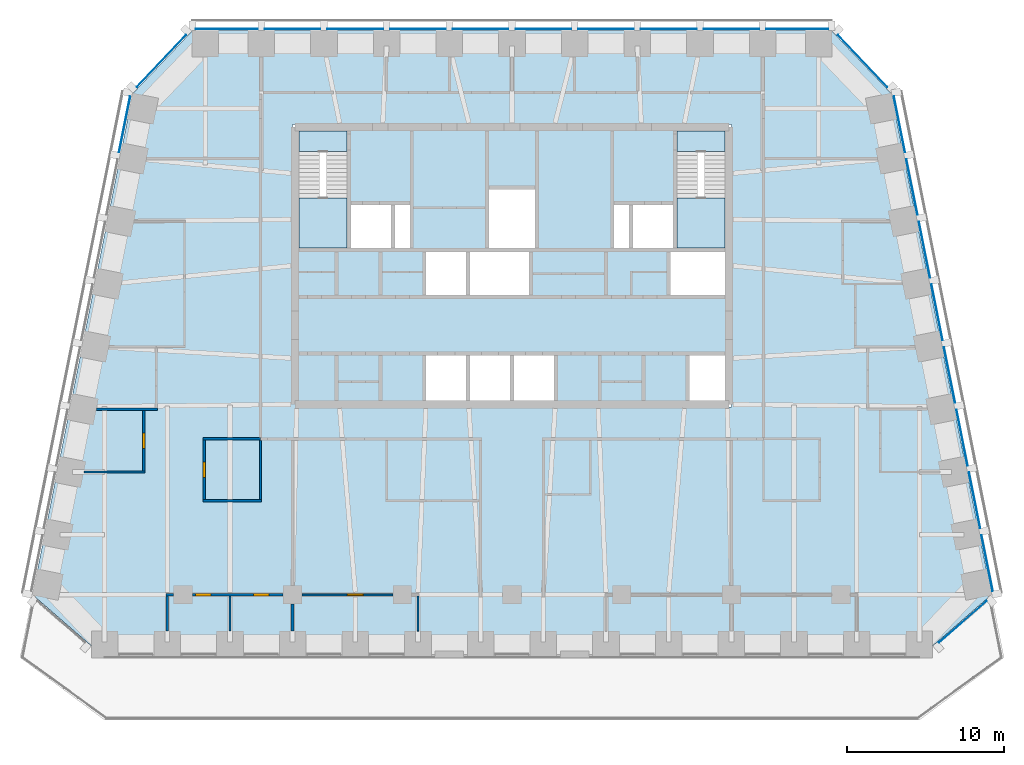
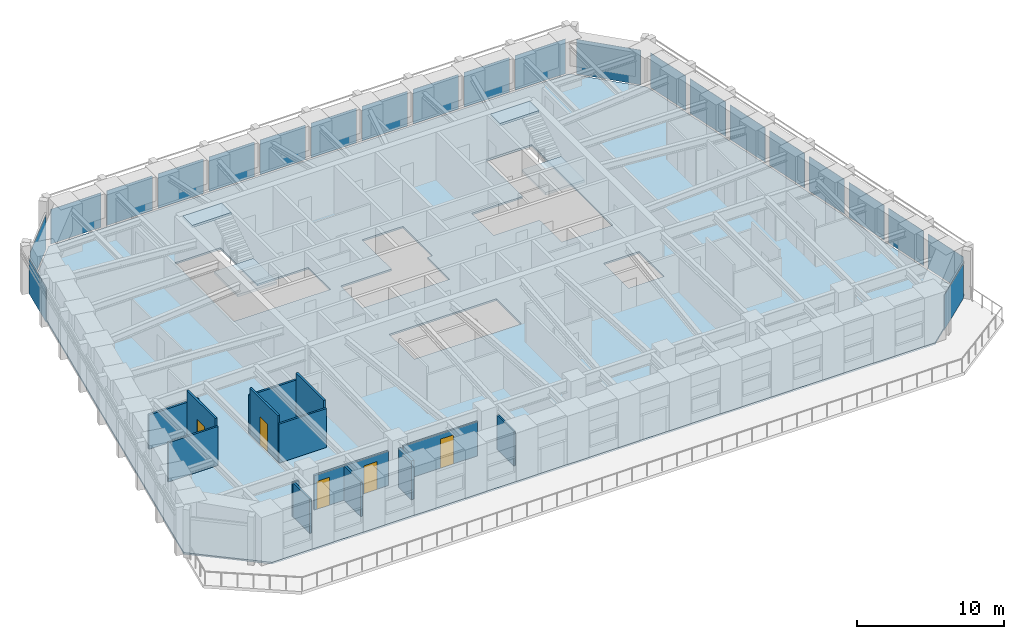
# One storey, part 4 of 11: 22 plates, 14 walls, 5 doors, 5 slabs, 5 openings, 8 elements without a shape of their own.
"""IFC4 building model written with IfcOpenShell, lengths in metres."""

from ifc_helpers import new_model, si_unit, direction, frame, frame_2d, origin, origin_2d, place, context, subcontext, project, spatial, polyline, rectangle, outline, extrude, material, layer, layer_set, type_object, element, fill, aggregate, save


model = new_model("IFC4")

# Units and contexts
model_context = context("Model", 3, precision=1e-05, world=origin(), true_north=direction((0.0, 1.0)))
body_context = subcontext(model_context, "Body", "Model", "MODEL_VIEW")
ifc_project = project(units=[si_unit("LENGTHUNIT", "METRE"), si_unit("AREAUNIT", "SQUARE_METRE"), si_unit("VOLUMEUNIT", "CUBIC_METRE"), si_unit("PLANEANGLEUNIT", "RADIAN"), si_unit("MASSUNIT", "GRAM", prefix="KILO")], contexts=[model_context])

# Site, building, storey
site_placement = place(None, origin())
site = spatial("IfcSite", under=ifc_project, at=site_placement, CompositionType="ELEMENT")
building_placement = place(site_placement, origin())
building = spatial("IfcBuilding", under=site, at=building_placement, Name="Isbrekke Arena Tower", CompositionType="ELEMENT")
storey_placement = place(building_placement, frame((0.0, 0.0, 272.0)))
storey = spatial("IfcBuildingStorey", under=building, at=storey_placement, Name="L63", CompositionType="ELEMENT", Elevation=272.0)

# Curtain wall, plate
ifc_material_1 = material(Name="Glazed aluminium curtain wall", Category="aluminium")
curtain_wall_type = type_object("IfcCurtainWallType", Name="CWT TOWER CURTAIN WALL TOP ZONE", PredefinedType="USERDEFINED", material=ifc_material_1)
curtain_wall_1_placement = place(storey_placement, origin())
curtain_wall_1 = element("IfcCurtainWall", 1, at=curtain_wall_1_placement, inside=storey, type_object=curtain_wall_type, Name="CWT curtain wall L63-SE", ObjectType="TOWER CURTAIN WALL TOP ZONE", PredefinedType="USERDEFINED")
ifc_material_2 = material(Name="Triple-glazed clear glass unit", Category="glass")
ifc_layer_1 = layer(ifc_material_2, 0.031982421875)
ifc_layer_set_1 = layer_set([ifc_layer_1], Name="CWT-P VISION PANEL")
plate_type = type_object("IfcPlateType", Name="CWT-P VISION PANEL", PredefinedType="CURTAIN_PANEL", material=ifc_layer_set_1)
plate_1_placement = place(storey_placement, frame((28.7724609375, -7.7216796875, 0.02001953125), z_axis=(0.0, 0.0, 1.0), x_axis=(0.754605522159, 0.65617871493, 0.0)))
plate_1 = element("IfcPlate", 2, at=plate_1_placement, type_object=plate_type, Name="CWT-P panel 1", PredefinedType="CURTAIN_PANEL", context=body_context, shape_type="SweptSolid", body=[
    extrude(rectangle(XDim=4.0283203125, YDim=0.031982421875, at=origin_2d()), origin(), (0.0, 0.0, 1.0), 2.8798828125),
])
aggregate(curtain_wall_1, [plate_1])

# Curtain wall, plates
curtain_wall_2_placement = place(storey_placement, origin())
curtain_wall_2 = element("IfcCurtainWall", 3, at=curtain_wall_2_placement, inside=storey, type_object=curtain_wall_type, Name="CWT curtain wall L63-E", ObjectType="TOWER CURTAIN WALL TOP ZONE", PredefinedType="USERDEFINED")
plate_2_placement = place(storey_placement, frame((30.322509765625, -3.9755859375, 0.02001953125), z_axis=(0.0, 0.0, 1.0), x_axis=(-0.196116135138, 0.980580675691, 0.0)))
plate_2 = element("IfcPlate", 4, at=plate_2_placement, type_object=plate_type, Name="CWT-P panel 1", PredefinedType="CURTAIN_PANEL", context=body_context, shape_type="SweptSolid", body=[
    extrude(rectangle(XDim=3.629150390625, YDim=0.031982421875, at=origin_2d()), origin(), (0.0, 0.0, 1.0), 2.8798828125),
])
plate_3_placement = place(storey_placement, frame((29.5224609375, 0.0244140625, 0.02001953125), z_axis=(0.0, 0.0, 1.0), x_axis=(-0.196116135138, 0.980580675691, 0.0)))
plate_3 = element("IfcPlate", 5, at=plate_3_placement, type_object=plate_type, Name="CWT-P panel 2", PredefinedType="CURTAIN_PANEL", context=body_context, shape_type="SweptSolid", body=[
    extrude(rectangle(XDim=3.629150390625, YDim=0.031982421875, at=origin_2d()), origin(), (0.0, 0.0, 1.0), 2.8798828125),
])
plate_4_placement = place(storey_placement, frame((28.72265625, 4.0244140625, 0.02001953125), z_axis=(0.0, 0.0, 1.0), x_axis=(-0.196116135138, 0.980580675691, 0.0)))
plate_4 = element("IfcPlate", 6, at=plate_4_placement, type_object=plate_type, Name="CWT-P panel 3", PredefinedType="CURTAIN_PANEL", context=body_context, shape_type="SweptSolid", body=[
    extrude(rectangle(XDim=3.629150390625, YDim=0.031982421875, at=origin_2d()), origin(), (0.0, 0.0, 1.0), 2.8798828125),
])
plate_5_placement = place(storey_placement, frame((27.922607421875, 8.0244140625, 0.02001953125), z_axis=(0.0, 0.0, 1.0), x_axis=(-0.196116135138, 0.980580675691, 0.0)))
plate_5 = element("IfcPlate", 7, at=plate_5_placement, type_object=plate_type, Name="CWT-P panel 4", PredefinedType="CURTAIN_PANEL", context=body_context, shape_type="SweptSolid", body=[
    extrude(rectangle(XDim=3.629150390625, YDim=0.031982421875, at=origin_2d()), origin(), (0.0, 0.0, 1.0), 2.8798828125),
])
plate_6_placement = place(storey_placement, frame((27.12255859375, 12.0244140625, 0.02001953125), z_axis=(0.0, 0.0, 1.0), x_axis=(-0.196116135138, 0.980580675691, 0.0)))
plate_6 = element("IfcPlate", 8, at=plate_6_placement, type_object=plate_type, Name="CWT-P panel 5", PredefinedType="CURTAIN_PANEL", context=body_context, shape_type="SweptSolid", body=[
    extrude(rectangle(XDim=3.629150390625, YDim=0.031982421875, at=origin_2d()), origin(), (0.0, 0.0, 1.0), 2.8798828125),
])
plate_7_placement = place(storey_placement, frame((26.322509765625, 16.0244140625, 0.02001953125), z_axis=(0.0, 0.0, 1.0), x_axis=(-0.196116135138, 0.980580675691, 0.0)))
plate_7 = element("IfcPlate", 9, at=plate_7_placement, type_object=plate_type, Name="CWT-P panel 6", PredefinedType="CURTAIN_PANEL", context=body_context, shape_type="SweptSolid", body=[
    extrude(rectangle(XDim=3.629150390625, YDim=0.031982421875, at=origin_2d()), origin(), (0.0, 0.0, 1.0), 2.8798828125),
])
plate_8_placement = place(storey_placement, frame((25.5224609375, 20.0244140625, 0.02001953125), z_axis=(0.0, 0.0, 1.0), x_axis=(-0.196116135138, 0.980580675691, 0.0)))
plate_8 = element("IfcPlate", 10, at=plate_8_placement, type_object=plate_type, Name="CWT-P panel 7", PredefinedType="CURTAIN_PANEL", context=body_context, shape_type="SweptSolid", body=[
    extrude(rectangle(XDim=3.629150390625, YDim=0.031982421875, at=origin_2d()), origin(), (0.0, 0.0, 1.0), 2.8798828125),
])
plate_9_placement = place(storey_placement, frame((24.72265625, 24.0244140625, 0.02001953125), z_axis=(0.0, 0.0, 1.0), x_axis=(-0.196116135138, 0.980580675691, 0.0)))
plate_9 = element("IfcPlate", 11, at=plate_9_placement, type_object=plate_type, Name="CWT-P panel 8", PredefinedType="CURTAIN_PANEL", context=body_context, shape_type="SweptSolid", body=[
    extrude(rectangle(XDim=3.629150390625, YDim=0.031982421875, at=origin_2d()), origin(), (0.0, 0.0, 1.0), 2.8798828125),
])
aggregate(curtain_wall_2, [plate_2, plate_3, plate_4, plate_5, plate_6, plate_7, plate_8, plate_9])

# Curtain wall, plate
curtain_wall_3_placement = place(storey_placement, origin())
curtain_wall_3 = element("IfcCurtainWall", 12, at=curtain_wall_3_placement, inside=storey, type_object=curtain_wall_type, Name="CWT curtain wall L63-EN", ObjectType="TOWER CURTAIN WALL TOP ZONE", PredefinedType="USERDEFINED")
plate_10_placement = place(storey_placement, frame((22.374755859375, 28.06640625, 0.02001953125), z_axis=(0.0, 0.0, 1.0), x_axis=(-0.68874946192, 0.72499943359, 0.0)))
plate_10 = element("IfcPlate", 13, at=plate_10_placement, type_object=plate_type, Name="CWT-P panel 1", PredefinedType="CURTAIN_PANEL", context=body_context, shape_type="SweptSolid", body=[
    extrude(rectangle(XDim=4.558349609375, YDim=0.031982421875, at=origin_2d()), origin(), (0.0, 0.0, 1.0), 2.8798828125),
])
aggregate(curtain_wall_3, [plate_10])

# Curtain wall, plates
curtain_wall_4_placement = place(storey_placement, origin())
curtain_wall_4 = element("IfcCurtainWall", 14, at=curtain_wall_4_placement, inside=storey, type_object=curtain_wall_type, Name="CWT curtain wall L63-N", ObjectType="TOWER CURTAIN WALL TOP ZONE", PredefinedType="USERDEFINED")
plate_11_placement = place(storey_placement, frame((18.199951171875, 30.125, 0.02001953125), z_axis=(0.0, 0.0, 1.0), x_axis=(-1.0, 0.0, 0.0)))
plate_11 = element("IfcPlate", 15, at=plate_11_placement, type_object=plate_type, Name="CWT-P panel 1", PredefinedType="CURTAIN_PANEL", context=body_context, shape_type="SweptSolid", body=[
    extrude(rectangle(XDim=3.949951171875, YDim=0.031982421875, at=origin_2d()), origin(), (0.0, 0.0, 1.0), 2.8798828125),
])
plate_12_placement = place(storey_placement, frame((14.0, 30.125, 0.02001953125), z_axis=(0.0, 0.0, 1.0), x_axis=(-1.0, 0.0, 0.0)))
plate_12 = element("IfcPlate", 16, at=plate_12_placement, type_object=plate_type, Name="CWT-P panel 2", PredefinedType="CURTAIN_PANEL", context=body_context, shape_type="SweptSolid", body=[
    extrude(rectangle(XDim=3.550048828125, YDim=0.031982421875, at=origin_2d()), origin(), (0.0, 0.0, 1.0), 2.8798828125),
])
plate_13_placement = place(storey_placement, frame((10.0, 30.125, 0.02001953125), z_axis=(0.0, 0.0, 1.0), x_axis=(-1.0, 0.0, 0.0)))
plate_13 = element("IfcPlate", 17, at=plate_13_placement, type_object=plate_type, Name="CWT-P panel 3", PredefinedType="CURTAIN_PANEL", context=body_context, shape_type="SweptSolid", body=[
    extrude(rectangle(XDim=3.550048828125, YDim=0.031982421875, at=origin_2d()), origin(), (0.0, 0.0, 1.0), 2.8798828125),
])
plate_14_placement = place(storey_placement, frame((6.0, 30.125, 0.02001953125), z_axis=(0.0, 0.0, 1.0), x_axis=(-1.0, 0.0, 0.0)))
plate_14 = element("IfcPlate", 18, at=plate_14_placement, type_object=plate_type, Name="CWT-P panel 4", PredefinedType="CURTAIN_PANEL", context=body_context, shape_type="SweptSolid", body=[
    extrude(rectangle(XDim=3.550048828125, YDim=0.031982421875, at=origin_2d()), origin(), (0.0, 0.0, 1.0), 2.8798828125),
])
plate_15_placement = place(storey_placement, frame((2.0, 30.125, 0.02001953125), z_axis=(0.0, 0.0, 1.0), x_axis=(-1.0, 0.0, 0.0)))
plate_15 = element("IfcPlate", 19, at=plate_15_placement, type_object=plate_type, Name="CWT-P panel 5", PredefinedType="CURTAIN_PANEL", context=body_context, shape_type="SweptSolid", body=[
    extrude(rectangle(XDim=3.550048828125, YDim=0.031982421875, at=origin_2d()), origin(), (0.0, 0.0, 1.0), 2.8798828125),
])
plate_16_placement = place(storey_placement, frame((-2.0, 30.125, 0.02001953125), z_axis=(0.0, 0.0, 1.0), x_axis=(-1.0, 0.0, 0.0)))
plate_16 = element("IfcPlate", 20, at=plate_16_placement, type_object=plate_type, Name="CWT-P panel 6", PredefinedType="CURTAIN_PANEL", context=body_context, shape_type="SweptSolid", body=[
    extrude(rectangle(XDim=3.550048828125, YDim=0.031982421875, at=origin_2d()), origin(), (0.0, 0.0, 1.0), 2.8798828125),
])
plate_17_placement = place(storey_placement, frame((-6.0, 30.125, 0.02001953125), z_axis=(0.0, 0.0, 1.0), x_axis=(-1.0, 0.0, 0.0)))
plate_17 = element("IfcPlate", 21, at=plate_17_placement, type_object=plate_type, Name="CWT-P panel 7", PredefinedType="CURTAIN_PANEL", context=body_context, shape_type="SweptSolid", body=[
    extrude(rectangle(XDim=3.550048828125, YDim=0.031982421875, at=origin_2d()), origin(), (0.0, 0.0, 1.0), 2.8798828125),
])
plate_18_placement = place(storey_placement, frame((-10.0, 30.125, 0.02001953125), z_axis=(0.0, 0.0, 1.0), x_axis=(-1.0, 0.0, 0.0)))
plate_18 = element("IfcPlate", 22, at=plate_18_placement, type_object=plate_type, Name="CWT-P panel 8", PredefinedType="CURTAIN_PANEL", context=body_context, shape_type="SweptSolid", body=[
    extrude(rectangle(XDim=3.550048828125, YDim=0.031982421875, at=origin_2d()), origin(), (0.0, 0.0, 1.0), 2.8798828125),
])
plate_19_placement = place(storey_placement, frame((-14.0, 30.125, 0.02001953125), z_axis=(0.0, 0.0, 1.0), x_axis=(-1.0, 0.0, 0.0)))
plate_19 = element("IfcPlate", 23, at=plate_19_placement, type_object=plate_type, Name="CWT-P panel 9", PredefinedType="CURTAIN_PANEL", context=body_context, shape_type="SweptSolid", body=[
    extrude(rectangle(XDim=3.550048828125, YDim=0.031982421875, at=origin_2d()), origin(), (0.0, 0.0, 1.0), 2.8798828125),
])
plate_20_placement = place(storey_placement, frame((-18.199951171875, 30.125, 0.02001953125), z_axis=(0.0, 0.0, 1.0), x_axis=(-1.0, 0.0, 0.0)))
plate_20 = element("IfcPlate", 24, at=plate_20_placement, type_object=plate_type, Name="CWT-P panel 10", PredefinedType="CURTAIN_PANEL", context=body_context, shape_type="SweptSolid", body=[
    extrude(rectangle(XDim=3.949951171875, YDim=0.031982421875, at=origin_2d()), origin(), (0.0, 0.0, 1.0), 2.8798828125),
])
aggregate(curtain_wall_4, [plate_11, plate_12, plate_13, plate_14, plate_15, plate_16, plate_17, plate_18, plate_19, plate_20])

# Curtain wall, plate
curtain_wall_5_placement = place(storey_placement, origin())
curtain_wall_5 = element("IfcCurtainWall", 25, at=curtain_wall_5_placement, inside=storey, type_object=curtain_wall_type, Name="CWT curtain wall L63-NW", ObjectType="TOWER CURTAIN WALL TOP ZONE", PredefinedType="USERDEFINED")
plate_21_placement = place(storey_placement, frame((-22.37451171875, 28.066650390625, 0.02001953125), z_axis=(0.0, 0.0, 1.0), x_axis=(-0.68874946192, -0.72499943359, 0.0)))
plate_21 = element("IfcPlate", 26, at=plate_21_placement, type_object=plate_type, Name="CWT-P panel 1", PredefinedType="CURTAIN_PANEL", context=body_context, shape_type="SweptSolid", body=[
    extrude(rectangle(XDim=4.557373046875, YDim=0.031982421875, at=origin_2d()), origin(), (0.0, 0.0, 1.0), 2.8798828125),
])
aggregate(curtain_wall_5, [plate_21])

curtain_wall_6_placement = place(storey_placement, origin())
curtain_wall_6 = element("IfcCurtainWall", 27, at=curtain_wall_6_placement, inside=storey, type_object=curtain_wall_type, Name="CWT curtain wall L63-W", ObjectType="TOWER CURTAIN WALL TOP ZONE", PredefinedType="USERDEFINED")
plate_22_placement = place(storey_placement, frame((-24.72265625, 24.0244140625, 0.02001953125), z_axis=(0.0, 0.0, 1.0), x_axis=(-0.196116135138, -0.980580675691, 0.0)))
plate_22 = element("IfcPlate", 28, at=plate_22_placement, type_object=plate_type, Name="CWT-P panel 1", PredefinedType="CURTAIN_PANEL", context=body_context, shape_type="SweptSolid", body=[
    extrude(rectangle(XDim=3.629150390625, YDim=0.031982421875, at=origin_2d()), origin(), (0.0, 0.0, 1.0), 2.8798828125),
])
aggregate(curtain_wall_6, [plate_22])

# Slab
ifc_material_3 = material(Name="Concrete B35 (C35/45)", Category="concrete")
ifc_layer_2 = layer(ifc_material_3, 0.14990234375)
ifc_layer_set_2 = layer_set([ifc_layer_2], Name="FS1 COMPOSITE FLOOR 150")
slab_type_1 = type_object("IfcSlabType", Name="FS1 COMPOSITE FLOOR 150", PredefinedType="FLOOR", material=ifc_layer_set_2)
slab_1_placement = place(storey_placement, frame((0.0, 0.0, -0.14990234375)))
element("IfcSlab", 29, at=slab_1_placement, inside=storey, type_object=slab_type_1, Name="FS1 floor slab L63", PredefinedType="FLOOR", context=body_context, shape_type="SweptSolid", body=[
    extrude(outline(polyline([(-26.0, -10.0), (26.0, -10.0), (30.60009765625, -6.0), (24.199951171875, 26.0), (20.39990234375, 30.0), (-20.39990234375, 30.0), (-24.199951171875, 26.0), (-30.60009765625, -6.0), (-26.0, -10.0)]), holes=[polyline([(2.800048828125, 9.39990234375), (2.800048828125, 6.0), (-5.60009765625, 6.0), (-5.60009765625, 9.39990234375), (2.800048828125, 9.39990234375)]), polyline([(11.199951171875, 6.0), (11.199951171875, 9.39990234375), (14.0, 9.39990234375), (14.0, 6.0), (11.199951171875, 6.0)]), polyline([(-5.60009765625, 13.0), (-5.60009765625, 16.0), (-1.60009765625, 16.0), (-1.60009765625, 20.0), (1.60009765625, 20.0), (1.60009765625, 16.0), (1.199951171875, 16.0), (1.199951171875, 13.0), (-5.60009765625, 13.0)]), polyline([(14.0, 13.0), (10.0, 13.0), (10.0, 16.0), (6.39990234375, 16.0), (6.39990234375, 19.0), (10.39990234375, 19.0), (10.39990234375, 24.0), (14.0, 24.0), (14.0, 13.0)]), polyline([(-6.39990234375, 19.0), (-6.39990234375, 16.0), (-14.0, 16.0), (-14.0, 24.0), (-10.39990234375, 24.0), (-10.39990234375, 19.0), (-6.39990234375, 19.0)])]), origin(), (0.0, 0.0, 1.0), 0.14990234375),
])

# Stair, slabs
ifc_material_4 = material(Name="Concrete B45 (C45/55) precast", Category="concrete")
stair_type = type_object("IfcStairType", Name="ST40 STAIR 1300 WIDE, 24 RISERS 167", PredefinedType="HALF_TURN_STAIR", material=ifc_material_4)
stair_1_placement = place(storey_placement, origin())
stair_1 = element("IfcStair", 30, at=stair_1_placement, inside=storey, type_object=stair_type, Name="ST1 stair L63", PredefinedType="HALF_TURN_STAIR")
ifc_material_5 = material(Name="Concrete B35 (C35/45)", Category="concrete")
ifc_layer_3 = layer(ifc_material_5, 0.199951171875)
ifc_layer_set_3 = layer_set([ifc_layer_3], Name="SL1 STAIR LANDING 200")
slab_type_2 = type_object("IfcSlabType", Name="SL1 STAIR LANDING 200", PredefinedType="LANDING", material=ifc_layer_set_3)
slab_2_placement = place(storey_placement, frame((0.0, 0.0, 1.800048828125)))
slab_2 = element("IfcSlab", 31, at=slab_2_placement, type_object=slab_type_2, Name="ST1 landing 1", PredefinedType="LANDING", context=body_context, shape_type="SweptSolid", body=[
    extrude(outline(polyline([(-13.60009765625, 16.125), (-10.52490234375, 16.125), (-10.52490234375, 19.330078125), (-13.60009765625, 19.330078125), (-13.60009765625, 16.125)])), origin(), (0.0, 0.0, 1.0), 0.199951171875),
])
slab_3_placement = place(storey_placement, frame((0.0, 0.0, 3.800048828125)))
slab_3 = element("IfcSlab", 32, at=slab_3_placement, type_object=slab_type_2, Name="ST1 landing 2", PredefinedType="LANDING", context=body_context, shape_type="SweptSolid", body=[
    extrude(outline(polyline([(-13.60009765625, 22.300048828125), (-10.52490234375, 22.300048828125), (-10.52490234375, 23.60009765625), (-13.60009765625, 23.60009765625), (-13.60009765625, 22.300048828125)])), origin(), (0.0, 0.0, 1.0), 0.199951171875),
])
aggregate(stair_1, [slab_2, slab_3])

stair_2_placement = place(storey_placement, origin())
stair_2 = element("IfcStair", 33, at=stair_2_placement, inside=storey, type_object=stair_type, Name="ST2 stair L63", PredefinedType="HALF_TURN_STAIR")
slab_4_placement = place(storey_placement, frame((0.0, 0.0, 1.800048828125)))
slab_4 = element("IfcSlab", 34, at=slab_4_placement, type_object=slab_type_2, Name="ST2 landing 1", PredefinedType="LANDING", context=body_context, shape_type="SweptSolid", body=[
    extrude(outline(polyline([(10.52490234375, 16.125), (13.60009765625, 16.125), (13.60009765625, 19.330078125), (10.52490234375, 19.330078125), (10.52490234375, 16.125)])), origin(), (0.0, 0.0, 1.0), 0.199951171875),
])
slab_5_placement = place(storey_placement, frame((0.0, 0.0, 3.800048828125)))
slab_5 = element("IfcSlab", 35, at=slab_5_placement, type_object=slab_type_2, Name="ST2 landing 2", PredefinedType="LANDING", context=body_context, shape_type="SweptSolid", body=[
    extrude(outline(polyline([(10.52490234375, 22.300048828125), (13.60009765625, 22.300048828125), (13.60009765625, 23.60009765625), (10.52490234375, 23.60009765625), (10.52490234375, 22.300048828125)])), origin(), (0.0, 0.0, 1.0), 0.199951171875),
])
aggregate(stair_2, [slab_4, slab_5])

# Wall
ifc_material_6 = material(Name="Gypsum board partition on steel studs", Category="steel")
ifc_layer_4 = layer(ifc_material_6, 0.14990234375)
ifc_layer_set_4 = layer_set([ifc_layer_4], Name="IW1 PARTITION 150")
wall_type_1 = type_object("IfcWallType", Name="IW1 PARTITION 150", PredefinedType="PARTITIONING", material=ifc_layer_set_4)
wall_1_placement = place(storey_placement, frame((-22.074951171875, -6.0, 0.0), z_axis=(0.0, 0.0, 1.0), x_axis=(1.0, 0.0, 0.0)))
element("IfcWall", 36, at=wall_1_placement, inside=storey, type_object=wall_type_1, Name="IW1 partition 150 L63", PredefinedType="PARTITIONING", context=body_context, shape_type="SweptSolid", body=[
    extrude(rectangle(XDim=0.474853515625, YDim=0.14990234375, at=frame_2d((0.2373046875, 0.0))), origin(), (0.0, 0.0, 1.0), 2.842041015625),
])

# Wall, openings, doors
wall_2_placement = place(storey_placement, frame((-20.39990234375, -6.0, 0.0), z_axis=(0.0, 0.0, 1.0), x_axis=(1.0, 0.0, 0.0)))
wall_2 = element("IfcWall", 37, at=wall_2_placement, inside=storey, type_object=wall_type_1, Name="IW1 partition 150 L63", PredefinedType="PARTITIONING", context=body_context, shape_type="SweptSolid", body=[
    extrude(rectangle(XDim=5.7998046875, YDim=0.14990234375, at=frame_2d((2.89990234375, 0.0))), origin(), (0.0, 0.0, 1.0), 2.842041015625),
])
opening_1_placement = place(wall_2_placement, frame((0.199951171875, 0.0, 0.0)))
opening_1 = element("IfcOpeningElement", 38, at=opening_1_placement, cuts=wall_2, Name="Opening D10", PredefinedType="OPENING", context=body_context, shape_type="SweptSolid", body=[
    extrude(rectangle(XDim=1.0, YDim=2.300048828125, at=frame_2d((0.5, 1.14990234375))), frame((0.0, 0.08984375, 0.0), z_axis=(0.0, -1.0, 0.0), x_axis=(1.0, 0.0, 0.0)), (0.0, 0.0, 1.0), 0.1796875),
])
opening_2_placement = place(wall_2_placement, frame((3.89990234375, 0.0, 0.0)))
opening_2 = element("IfcOpeningElement", 39, at=opening_2_placement, cuts=wall_2, Name="Opening D10", PredefinedType="OPENING", context=body_context, shape_type="SweptSolid", body=[
    extrude(rectangle(XDim=1.0, YDim=2.300048828125, at=frame_2d((0.5, 1.14990234375))), frame((0.0, 0.08984375, 0.0), z_axis=(0.0, -1.0, 0.0), x_axis=(1.0, 0.0, 0.0)), (0.0, 0.0, 1.0), 0.1796875),
])
ifc_material_7 = material(Name="Timber door", Category="wood")
door_type_1 = type_object("IfcDoorType", Name="D10 OFFICE DOOR 1000 x 2300", OperationType="SINGLE_SWING_LEFT", PredefinedType="DOOR", material=ifc_material_7)
door_1_placement = place(opening_1_placement, origin())
door_1 = element("IfcDoor", 40, at=door_1_placement, inside=storey, type_object=door_type_1, Name="D10 office door L63", OperationType="SINGLE_SWING_LEFT", OverallHeight=2.300048828125, OverallWidth=1.0, PredefinedType="DOOR", context=body_context, shape_type="SweptSolid", body=[
    extrude(rectangle(XDim=1.0, YDim=2.300048828125, at=frame_2d((0.5, 1.14990234375))), frame((0.0, 0.07470703125, 0.0), z_axis=(0.0, -1.0, 0.0), x_axis=(1.0, 0.0, 0.0)), (0.0, 0.0, 1.0), 0.1494140625),
])
fill(opening_1, door_1)
door_2_placement = place(opening_2_placement, origin())
door_2 = element("IfcDoor", 41, at=door_2_placement, inside=storey, type_object=door_type_1, Name="D10 office door L63", OperationType="SINGLE_SWING_LEFT", OverallHeight=2.300048828125, OverallWidth=1.0, PredefinedType="DOOR", context=body_context, shape_type="SweptSolid", body=[
    extrude(rectangle(XDim=1.0, YDim=2.300048828125, at=frame_2d((0.5, 1.14990234375))), frame((0.0, 0.07470703125, 0.0), z_axis=(0.0, -1.0, 0.0), x_axis=(1.0, 0.0, 0.0)), (0.0, 0.0, 1.0), 0.1494140625),
])
fill(opening_2, door_2)

# Walls
wall_3_placement = place(storey_placement, frame((-19.72509765625, 0.0, 0.0), z_axis=(0.0, 0.0, 1.0), x_axis=(1.0, 0.0, 0.0)))
element("IfcWall", 42, at=wall_3_placement, inside=storey, type_object=wall_type_1, Name="IW1 partition 150 L63", PredefinedType="PARTITIONING", context=body_context, shape_type="SweptSolid", body=[
    extrude(rectangle(XDim=3.75, YDim=0.14990234375, at=frame_2d((1.875, 0.0))), origin(), (0.0, 0.0, 1.0), 3.22998046875),
])
wall_4_placement = place(storey_placement, frame((-27.32373046875, 1.840087890625, 0.0), z_axis=(0.0, 0.0, 1.0), x_axis=(1.0, 0.0, 0.0)))
element("IfcWall", 43, at=wall_4_placement, inside=storey, type_object=wall_type_1, Name="IW1 partition 150 L63", PredefinedType="PARTITIONING", context=body_context, shape_type="SweptSolid", body=[
    extrude(rectangle(XDim=3.898681640625, YDim=0.14990234375, at=frame_2d((1.94921875, 0.0))), origin(), (0.0, 0.0, 1.0), 3.22998046875),
])
wall_5_placement = place(storey_placement, frame((-19.72509765625, 3.949951171875, 0.0), z_axis=(0.0, 0.0, 1.0), x_axis=(1.0, 0.0, 0.0)))
element("IfcWall", 44, at=wall_5_placement, inside=storey, type_object=wall_type_1, Name="IW1 partition 150 L63", PredefinedType="PARTITIONING", context=body_context, shape_type="SweptSolid", body=[
    extrude(rectangle(XDim=3.675048828125, YDim=0.14990234375, at=frame_2d((1.83740234375, 0.0))), origin(), (0.0, 0.0, 1.0), 3.22998046875),
])
wall_6_placement = place(storey_placement, frame((-26.523681640625, 5.840087890625, 0.0), z_axis=(0.0, 0.0, 1.0), x_axis=(1.0, 0.0, 0.0)))
element("IfcWall", 45, at=wall_6_placement, inside=storey, type_object=wall_type_1, Name="IW1 partition 150 L63", PredefinedType="PARTITIONING", context=body_context, shape_type="SweptSolid", body=[
    extrude(rectangle(XDim=3.898681640625, YDim=0.14990234375, at=frame_2d((1.94921875, 0.0))), origin(), (0.0, 0.0, 1.0), 2.842041015625),
])

# Wall, opening, door
wall_7_placement = place(storey_placement, frame((-23.5, 1.9150390625, 0.0), z_axis=(0.0, 0.0, 1.0), x_axis=(0.0, 1.0, 0.0)))
wall_7 = element("IfcWall", 46, at=wall_7_placement, inside=storey, type_object=wall_type_1, Name="IW1 partition 150 L63", PredefinedType="PARTITIONING", context=body_context, shape_type="SweptSolid", body=[
    extrude(rectangle(XDim=3.849853515625, YDim=0.14990234375, at=frame_2d((1.9248046875, 0.0))), origin(), (0.0, 0.0, 1.0), 3.85009765625),
])
opening_3_placement = place(wall_7_placement, frame((1.425048828125, 0.0, 0.0)))
opening_3 = element("IfcOpeningElement", 47, at=opening_3_placement, cuts=wall_7, Name="Opening D10", PredefinedType="OPENING", context=body_context, shape_type="SweptSolid", body=[
    extrude(rectangle(XDim=1.0, YDim=2.300048828125, at=frame_2d((0.5, 1.14990234375))), frame((0.0, 0.08984375, 0.0), z_axis=(0.0, -1.0, 0.0), x_axis=(1.0, 0.0, 0.0)), (0.0, 0.0, 1.0), 0.1796875),
])
door_3_placement = place(opening_3_placement, origin())
door_3 = element("IfcDoor", 48, at=door_3_placement, inside=storey, type_object=door_type_1, Name="D10 office door L63", OperationType="SINGLE_SWING_LEFT", OverallHeight=2.300048828125, OverallWidth=1.0, PredefinedType="DOOR", context=body_context, shape_type="SweptSolid", body=[
    extrude(rectangle(XDim=1.0, YDim=2.300048828125, at=frame_2d((0.5, 1.14990234375))), frame((0.0, 0.07470703125, 0.0), z_axis=(0.0, -1.0, 0.0), x_axis=(1.0, 0.0, 0.0)), (0.0, 0.0, 1.0), 0.1494140625),
])
fill(opening_3, door_3)

# Wall
wall_8_placement = place(storey_placement, frame((-22.0, -8.324951171875, 0.0), z_axis=(0.0, 0.0, 1.0), x_axis=(0.0, 1.0, 0.0)))
element("IfcWall", 49, at=wall_8_placement, inside=storey, type_object=wall_type_1, Name="IW1 partition 150 L63", PredefinedType="PARTITIONING", context=body_context, shape_type="SweptSolid", body=[
    extrude(rectangle(XDim=2.25, YDim=0.14990234375, at=frame_2d((1.125, 0.0))), origin(), (0.0, 0.0, 1.0), 2.842041015625),
])

# Wall, opening, door
wall_9_placement = place(storey_placement, frame((-19.64990234375, 0.074951171875, 0.0), z_axis=(0.0, 0.0, 1.0), x_axis=(0.0, 1.0, 0.0)))
wall_9 = element("IfcWall", 50, at=wall_9_placement, inside=storey, type_object=wall_type_1, Name="IW1 partition 150 L63", PredefinedType="PARTITIONING", context=body_context, shape_type="SweptSolid", body=[
    extrude(rectangle(XDim=3.800048828125, YDim=0.14990234375, at=frame_2d((1.89990234375, 0.0))), origin(), (0.0, 0.0, 1.0), 3.85009765625),
])
opening_4_placement = place(wall_9_placement, frame((1.39990234375, 0.0, 0.0)))
opening_4 = element("IfcOpeningElement", 51, at=opening_4_placement, cuts=wall_9, Name="Opening D10", PredefinedType="OPENING", context=body_context, shape_type="SweptSolid", body=[
    extrude(rectangle(XDim=1.0, YDim=2.300048828125, at=frame_2d((0.5, 1.14990234375))), frame((0.0, 0.08984375, 0.0), z_axis=(0.0, -1.0, 0.0), x_axis=(1.0, 0.0, 0.0)), (0.0, 0.0, 1.0), 0.1796875),
])
door_4_placement = place(opening_4_placement, origin())
door_4 = element("IfcDoor", 52, at=door_4_placement, inside=storey, type_object=door_type_1, Name="D10 pantry door L63", OperationType="SINGLE_SWING_LEFT", OverallHeight=2.300048828125, OverallWidth=1.0, PredefinedType="DOOR", context=body_context, shape_type="SweptSolid", body=[
    extrude(rectangle(XDim=1.0, YDim=2.300048828125, at=frame_2d((0.5, 1.14990234375))), frame((0.0, 0.07470703125, 0.0), z_axis=(0.0, -1.0, 0.0), x_axis=(1.0, 0.0, 0.0)), (0.0, 0.0, 1.0), 0.1494140625),
])
fill(opening_4, door_4)

# Walls
wall_10_placement = place(storey_placement, frame((-18.0, -8.324951171875, 0.0), z_axis=(0.0, 0.0, 1.0), x_axis=(0.0, 1.0, 0.0)))
element("IfcWall", 53, at=wall_10_placement, inside=storey, type_object=wall_type_1, Name="IW1 partition 150 L63", PredefinedType="PARTITIONING", context=body_context, shape_type="SweptSolid", body=[
    extrude(rectangle(XDim=2.25, YDim=0.14990234375, at=frame_2d((1.125, 0.0))), origin(), (0.0, 0.0, 1.0), 2.842041015625),
])
wall_11_placement = place(storey_placement, frame((-16.050048828125, 0.074951171875, 0.0), z_axis=(0.0, 0.0, 1.0), x_axis=(0.0, 1.0, 0.0)))
element("IfcWall", 54, at=wall_11_placement, inside=storey, type_object=wall_type_1, Name="IW1 partition 150 L63", PredefinedType="PARTITIONING", context=body_context, shape_type="SweptSolid", body=[
    extrude(rectangle(XDim=3.775146484375, YDim=0.14990234375, at=frame_2d((1.8876953125, 0.0))), origin(), (0.0, 0.0, 1.0), 3.85009765625),
])

# Wall, opening, door
ifc_material_8 = material(Name="Frameless glazed partition, laminated acoustic glass", Category="glass")
ifc_layer_5 = layer(ifc_material_8, 0.1201171875)
ifc_layer_set_5 = layer_set([ifc_layer_5], Name="IW2 GLAZED PARTITION 120")
wall_type_2 = type_object("IfcWallType", Name="IW2 GLAZED PARTITION 120", PredefinedType="PARTITIONING", material=ifc_layer_set_5)
wall_12_placement = place(storey_placement, frame((-13.39990234375, -6.0, 0.0), z_axis=(0.0, 0.0, 1.0), x_axis=(1.0, 0.0, 0.0)))
wall_12 = element("IfcWall", 55, at=wall_12_placement, inside=storey, type_object=wall_type_2, Name="IW2 glazed partition 120 L63", PredefinedType="PARTITIONING", context=body_context, shape_type="SweptSolid", body=[
    extrude(rectangle(XDim=5.7998046875, YDim=0.1201171875, at=frame_2d((2.89990234375, 0.0))), origin(), (0.0, 0.0, 1.0), 2.842041015625),
])
opening_5_placement = place(wall_12_placement, frame((2.89990234375, 0.0, 0.0)))
opening_5 = element("IfcOpeningElement", 56, at=opening_5_placement, cuts=wall_12, Name="Opening D11", PredefinedType="OPENING", context=body_context, shape_type="SweptSolid", body=[
    extrude(rectangle(XDim=1.0, YDim=2.39990234375, at=frame_2d((0.5, 1.199951171875))), frame((0.0, 0.074951171875, 0.0), z_axis=(0.0, -1.0, 0.0), x_axis=(1.0, 0.0, 0.0)), (0.0, 0.0, 1.0), 0.14990234375),
])
ifc_material_9 = material(Name="Frameless glazed door", Category="glass")
door_type_2 = type_object("IfcDoorType", Name="D11 GLAZED MEETING ROOM DOOR 1000 x 2400", OperationType="SINGLE_SWING_RIGHT", PredefinedType="DOOR", material=ifc_material_9)
door_5_placement = place(opening_5_placement, origin())
door_5 = element("IfcDoor", 57, at=door_5_placement, inside=storey, type_object=door_type_2, Name="D11 client meeting room door L63", OperationType="SINGLE_SWING_RIGHT", OverallHeight=2.39990234375, OverallWidth=1.0, PredefinedType="DOOR", context=body_context, shape_type="SweptSolid", body=[
    extrude(rectangle(XDim=1.0, YDim=2.39990234375, at=frame_2d((0.5, 1.199951171875))), frame((0.0, 0.059814453125, 0.0), z_axis=(0.0, -1.0, 0.0), x_axis=(1.0, 0.0, 0.0)), (0.0, 0.0, 1.0), 0.11962890625),
])
fill(opening_5, door_5)

# Walls
wall_13_placement = place(storey_placement, frame((-6.0, -8.324951171875, 0.0), z_axis=(0.0, 0.0, 1.0), x_axis=(0.0, 1.0, 0.0)))
element("IfcWall", 58, at=wall_13_placement, inside=storey, type_object=wall_type_2, Name="IW2 glazed partition 120 L63", PredefinedType="PARTITIONING", context=body_context, shape_type="SweptSolid", body=[
    extrude(rectangle(XDim=2.264892578125, YDim=0.1201171875, at=frame_2d((1.13232421875, 0.0))), origin(), (0.0, 0.0, 1.0), 2.842041015625),
])
ifc_material_10 = material(Name="Gypsum board fire-cell wall on steel studs, two layers each side", Category="steel")
ifc_layer_6 = layer(ifc_material_10, 0.199951171875)
ifc_layer_set_6 = layer_set([ifc_layer_6], Name="IW3 FIRE-CELL WALL 200")
wall_type_3 = type_object("IfcWallType", Name="IW3 FIRE-CELL WALL 200", PredefinedType="PARTITIONING", material=ifc_layer_set_6)
wall_14_placement = place(storey_placement, frame((-14.0, -8.324951171875, 0.0), z_axis=(0.0, 0.0, 1.0), x_axis=(0.0, 1.0, 0.0)))
element("IfcWall", 59, at=wall_14_placement, inside=storey, type_object=wall_type_3, Name="IW3 fire-cell wall 200 L63", PredefinedType="PARTITIONING", context=body_context, shape_type="SweptSolid", body=[
    extrude(rectangle(XDim=1.724853515625, YDim=0.199951171875, at=frame_2d((0.8623046875, 0.0))), origin(), (0.0, 0.0, 1.0), 3.22998046875),
])

save(model, "model.ifc")
